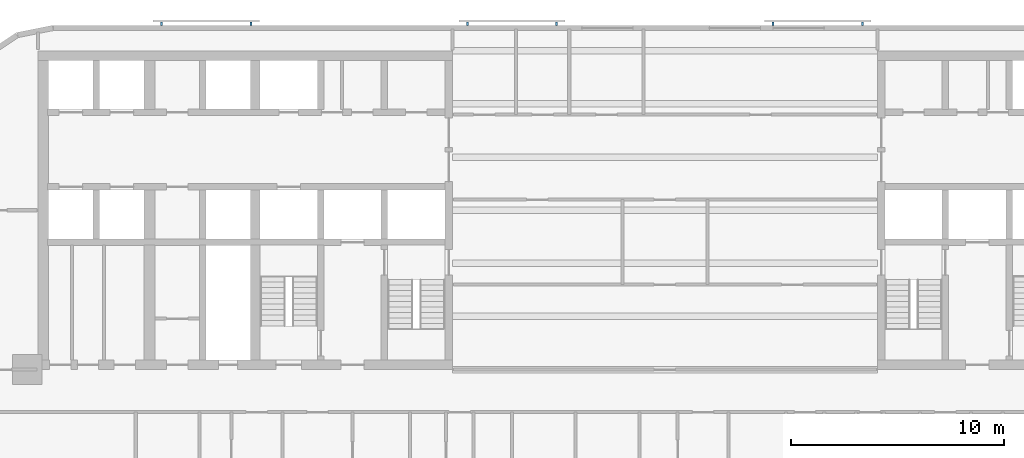
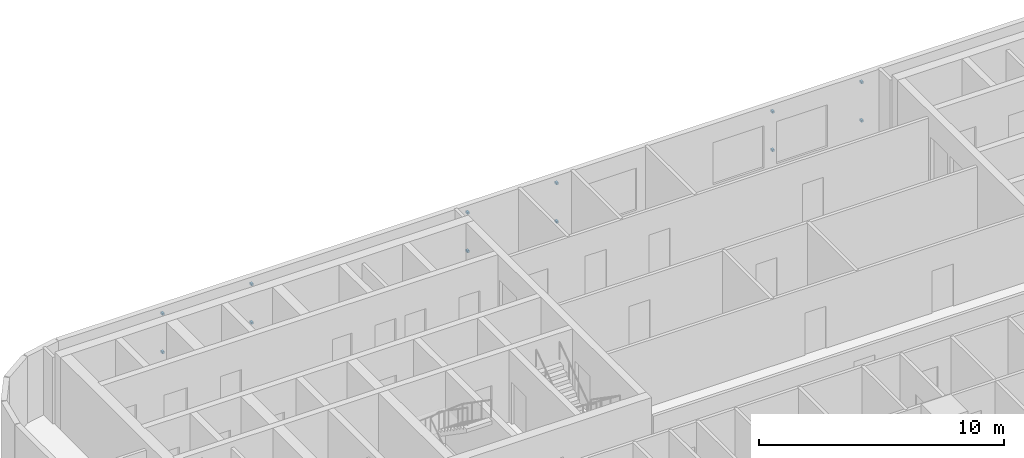
# One storey, part 11 of 15: 12 discrete accessories.
"""IFC4 building model written with IfcOpenShell, lengths in metres."""

from ifc_helpers import new_model, si_unit, direction, frame, origin, origin_2d, place, context, subcontext, project, spatial, rectangle, extrude, material, type_object, element, save


model = new_model("IFC4")

# Units and contexts
model_context = context("Model", 3, precision=1e-05, world=origin(), true_north=direction((0.0, 1.0)))
body_context = subcontext(model_context, "Body", "Model", "MODEL_VIEW")
ifc_project = project(units=[si_unit("LENGTHUNIT", "METRE"), si_unit("AREAUNIT", "SQUARE_METRE"), si_unit("VOLUMEUNIT", "CUBIC_METRE"), si_unit("PLANEANGLEUNIT", "RADIAN"), si_unit("MASSUNIT", "GRAM", prefix="KILO")], contexts=[model_context])

# Site, building, storey
site_placement = place(None, origin())
site = spatial("IfcSite", under=ifc_project, at=site_placement, CompositionType="ELEMENT")
building_placement = place(site_placement, origin())
building = spatial("IfcBuilding", under=site, at=building_placement, Name="Torana Hotel and Residences", CompositionType="ELEMENT")
storey_placement = place(building_placement, frame((0.0, 0.0, 88.800048828125)))
storey = spatial("IfcBuildingStorey", under=building, at=storey_placement, Name="L22", CompositionType="ELEMENT", Elevation=88.800048828125)

# Discrete accessories
ifc_material = material(Name="Steel S355", Category="steel")
discrete_accessory_type = type_object("IfcDiscreteAccessoryType", Name="SCREEN BRACKET 100", PredefinedType="BRACKET", material=ifc_material)
for number, where, z_axis, x_axis, name in (
    (1, (9.293701171875, 1.27490234375, 0.75), (0.0, 0.0, 1.0), (-1.0, 0.0, 0.0), "Screen bracket L22"),
    (2, (9.293701171875, 1.27490234375, 2.669921875), (0.0, 0.0, 1.0), (-1.0, 0.0, 0.0), "Screen bracket L22"),
    (3, (5.09375, 1.27490234375, 0.75), (0.0, 0.0, 1.0), (-1.0, 0.0, 0.0), "Screen bracket L22"),
    (4, (5.09375, 1.27490234375, 2.669921875), (0.0, 0.0, 1.0), (-1.0, 0.0, 0.0), "Screen bracket L22"),
    (5, (-5.09375, 1.27490234375, 0.75), (0.0, 0.0, 1.0), (-1.0, 0.0, 0.0), "Screen bracket L22"),
    (6, (-5.09375, 1.27490234375, 2.669921875), (0.0, 0.0, 1.0), (-1.0, 0.0, 0.0), "Screen bracket L22"),
    (7, (-9.293701171875, 1.27490234375, 0.75), (0.0, 0.0, 1.0), (-1.0, 0.0, 0.0), "Screen bracket L22"),
    (8, (-9.293701171875, 1.27490234375, 2.669921875), (0.0, 0.0, 1.0), (-1.0, 0.0, 0.0), "Screen bracket L22"),
    (9, (-19.4814453125, 1.27490234375, 0.75), (0.0, 0.0, 1.0), (-1.0, 0.0, 0.0), "Screen bracket L22"),
    (10, (-19.4814453125, 1.27490234375, 2.669921875), (0.0, 0.0, 1.0), (-1.0, 0.0, 0.0), "Screen bracket L22"),
    (11, (-23.681396484375, 1.27490234375, 0.75), (0.0, 0.0, 1.0), (-1.0, 0.0, 0.0), "Screen bracket L22"),
    (12, (-23.681396484375, 1.27490234375, 2.669921875), (0.0, 0.0, 1.0), (-1.0, 0.0, 0.0), "Screen bracket L22"),
):
    element("IfcDiscreteAccessory", number, at=place(storey_placement, frame(where, z_axis=z_axis, x_axis=x_axis)), inside=storey, type_object=discrete_accessory_type, Name=name, PredefinedType="BRACKET", context=body_context, shape_type="SweptSolid", body=[
        extrude(rectangle(XDim=0.10009765625, YDim=0.14990234375, at=origin_2d()), origin(), (0.0, 0.0, 1.0), 0.10009765625),
    ])

save(model, "model.ifc")
